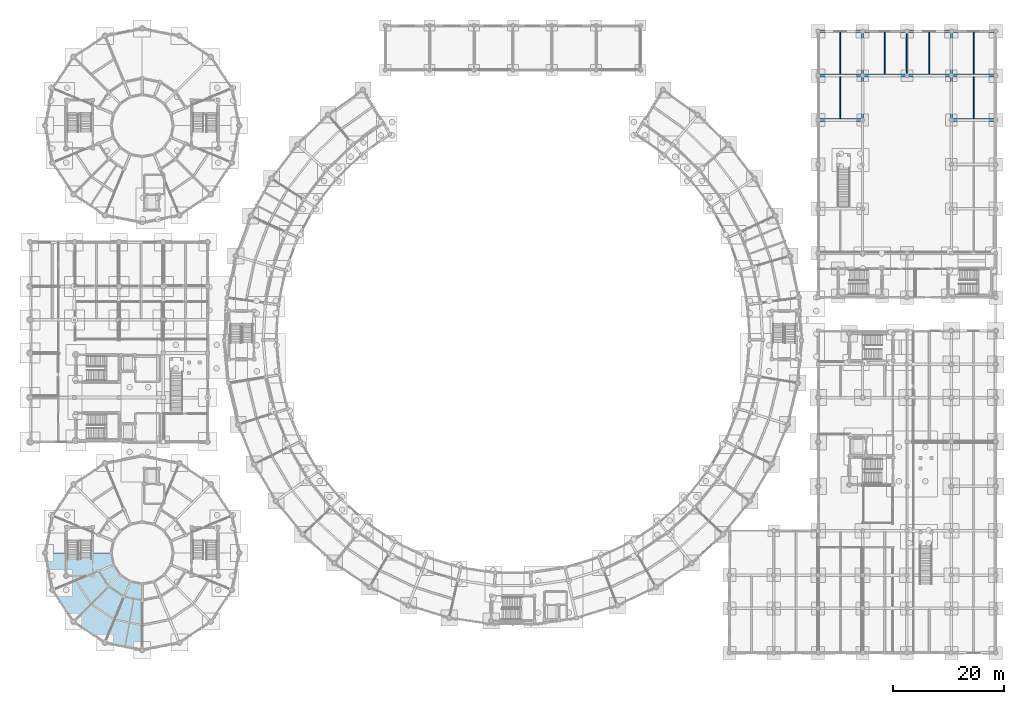
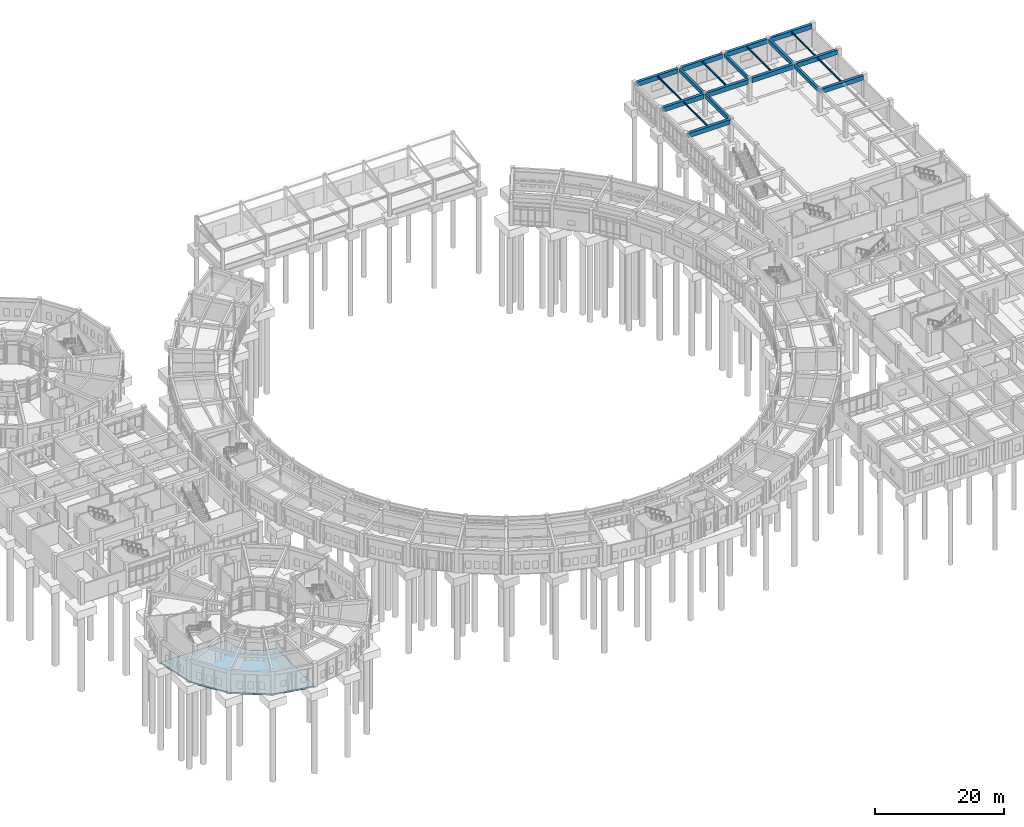
# One storey, part 101 of 153: 21 beams, 1 slab.
"""IFC4 building model written with IfcOpenShell, lengths in metres."""

from ifc_helpers import new_model, si_unit, direction, frame, origin, origin_2d, place, context, subcontext, project, spatial, polyline, rectangle, i_section, outline, extrude, material, layer, layer_set, material_profile, profile_set, type_object, element, save


model = new_model("IFC4")

# Units and contexts
model_context = context("Model", 3, precision=1e-05, world=origin(), true_north=direction((0.0, 1.0)))
body_context = subcontext(model_context, "Body", "Model", "MODEL_VIEW")
ifc_project = project(units=[si_unit("LENGTHUNIT", "METRE"), si_unit("AREAUNIT", "SQUARE_METRE"), si_unit("VOLUMEUNIT", "CUBIC_METRE"), si_unit("PLANEANGLEUNIT", "RADIAN"), si_unit("MASSUNIT", "GRAM", prefix="KILO")], contexts=[model_context])

# Site, building, storey
site_placement = place(None, origin())
site = spatial("IfcSite", under=ifc_project, at=site_placement, CompositionType="ELEMENT")
building_placement = place(site_placement, origin())
building = spatial("IfcBuilding", under=site, at=building_placement, Name="Celadon Cloister-Ring School", CompositionType="ELEMENT")
storey_placement = place(building_placement, origin())
storey = spatial("IfcBuildingStorey", under=building, at=storey_placement, Name="L00", CompositionType="ELEMENT", Elevation=0.0)

# Beams
ifc_material_1 = material(Name="Concrete C35/45", Category="concrete")
ifc_material_profile_1 = material_profile(ifc_material_1, rectangle(XDim=0.39990234375, YDim=0.699951171875, at=origin_2d()), Name="RC400X700")
ifc_profile_set_1 = profile_set([ifc_material_profile_1], Name="Concrete C35/45")
beam_type_1 = type_object("IfcBeamType", Name="BT-01", PredefinedType="BEAM", material=ifc_profile_set_1)
beam_1_placement = place(storey_placement, frame((150.0, 98.27490234375, 3.909912109375), z_axis=(0.0, 1.0, 0.0), x_axis=(-1.0, 0.0, 0.0)))
element("IfcBeam", 1, at=beam_1_placement, inside=storey, type_object=beam_type_1, Name="Beam 1140", PredefinedType="BEAM", context=body_context, shape_type="SweptSolid", body=[
    extrude(rectangle(XDim=0.39990234375, YDim=0.699951171875, at=origin_2d()), origin(), (0.0, 0.0, 1.0), 7.4501953125),
])
beam_2_placement = place(storey_placement, frame((150.0, 106.27490234375, 3.909912109375), z_axis=(0.0, 1.0, 0.0), x_axis=(-1.0, 0.0, 0.0)))
element("IfcBeam", 2, at=beam_2_placement, inside=storey, type_object=beam_type_1, Name="Beam 1141", PredefinedType="BEAM", context=body_context, shape_type="SweptSolid", body=[
    extrude(rectangle(XDim=0.39990234375, YDim=0.699951171875, at=origin_2d()), origin(), (0.0, 0.0, 1.0), 7.400146484375),
])
beam_3_placement = place(storey_placement, frame((166.0, 98.27490234375, 3.909912109375), z_axis=(0.0, 1.0, 0.0), x_axis=(-1.0, 0.0, 0.0)))
element("IfcBeam", 3, at=beam_3_placement, inside=storey, type_object=beam_type_1, Name="Beam 1147", PredefinedType="BEAM", context=body_context, shape_type="SweptSolid", body=[
    extrude(rectangle(XDim=0.39990234375, YDim=0.699951171875, at=origin_2d()), origin(), (0.0, 0.0, 1.0), 7.4501953125),
])
beam_4_placement = place(storey_placement, frame((166.0, 106.27490234375, 3.909912109375), z_axis=(0.0, 1.0, 0.0), x_axis=(-1.0, 0.0, 0.0)))
element("IfcBeam", 4, at=beam_4_placement, inside=storey, type_object=beam_type_1, Name="Beam 1148", PredefinedType="BEAM", context=body_context, shape_type="SweptSolid", body=[
    extrude(rectangle(XDim=0.39990234375, YDim=0.699951171875, at=origin_2d()), origin(), (0.0, 0.0, 1.0), 7.400146484375),
])
ifc_material_2 = material(Name="Concrete C35/45", Category="concrete")
ifc_material_profile_2 = material_profile(ifc_material_2, rectangle(XDim=0.35009765625, YDim=0.60009765625, at=origin_2d()), Name="RC350X600")
ifc_profile_set_2 = profile_set([ifc_material_profile_2], Name="Concrete C35/45")
beam_type_2 = type_object("IfcBeamType", Name="BT-02", PredefinedType="BEAM", material=ifc_profile_set_2)
beam_5_placement = place(storey_placement, frame((158.0, 106.27490234375, 3.9599609375), z_axis=(0.0, 1.0, 0.0), x_axis=(-1.0, 0.0, 0.0)))
element("IfcBeam", 5, at=beam_5_placement, inside=storey, type_object=beam_type_2, Name="Beam 1143", PredefinedType="BEAM", context=body_context, shape_type="SweptSolid", body=[
    extrude(rectangle(XDim=0.35009765625, YDim=0.60009765625, at=origin_2d()), origin(), (0.0, 0.0, 1.0), 7.400146484375),
])
ifc_material_3 = material(Name="Concrete C35/45", Category="concrete")
ifc_material_profile_3 = material_profile(ifc_material_3, rectangle(XDim=0.5, YDim=0.85009765625, at=origin_2d()), Name="RC500X850")
ifc_profile_set_3 = profile_set([ifc_material_profile_3], Name="Concrete C35/45")
beam_type_3 = type_object("IfcBeamType", Name="GT-01", PredefinedType="USERDEFINED", material=ifc_profile_set_3)
for number, where, z_axis, x_axis, name in (
    (6, (142.324951171875, 98.0, 3.8349609375), (1.0, 0.0, 0.0), (0.0, 1.0, 0.0), "Beam 1121"),
    (7, (166.27490234375, 98.0, 3.8349609375), (1.0, 0.0, 0.0), (0.0, 1.0, 0.0), "Beam 1122"),
    (8, (142.324951171875, 106.0, 3.8349609375), (1.0, 0.0, 0.0), (0.0, 1.0, 0.0), "Beam 1123"),
):
    element("IfcBeam", number, at=place(storey_placement, frame(where, z_axis=z_axis, x_axis=x_axis)), inside=storey, type_object=beam_type_3, Name=name, ObjectType="GIRDER", PredefinedType="USERDEFINED", context=body_context, shape_type="SweptSolid", body=[
        extrude(rectangle(XDim=0.5, YDim=0.85009765625, at=origin_2d()), origin(), (0.0, 0.0, 1.0), 7.400146484375),
    ])
for number, where, z_axis, x_axis, name in (
    (9, (150.27490234375, 106.0, 3.8349609375), (1.0, 0.0, 0.0), (0.0, 1.0, 0.0), "Beam 1124"),
    (10, (158.27490234375, 106.0, 3.8349609375), (1.0, 0.0, 0.0), (0.0, 1.0, 0.0), "Beam 1125"),
):
    element("IfcBeam", number, at=place(storey_placement, frame(where, z_axis=z_axis, x_axis=x_axis)), inside=storey, type_object=beam_type_3, Name=name, ObjectType="GIRDER", PredefinedType="USERDEFINED", context=body_context, shape_type="SweptSolid", body=[
        extrude(rectangle(XDim=0.5, YDim=0.85009765625, at=origin_2d()), origin(), (0.0, 0.0, 1.0), 7.4501953125),
    ])
beam_6_placement = place(storey_placement, frame((166.27490234375, 106.0, 3.8349609375), z_axis=(1.0, 0.0, 0.0), x_axis=(0.0, 1.0, 0.0)))
element("IfcBeam", 11, at=beam_6_placement, inside=storey, type_object=beam_type_3, Name="Beam 1126", ObjectType="GIRDER", PredefinedType="USERDEFINED", context=body_context, shape_type="SweptSolid", body=[
    extrude(rectangle(XDim=0.5, YDim=0.85009765625, at=origin_2d()), origin(), (0.0, 0.0, 1.0), 7.400146484375),
])
for number, where, z_axis, x_axis, name in (
    (12, (142.324951171875, 114.0, 3.8349609375), (1.0, 0.0, 0.0), (0.0, 1.0, 0.0), "Beam 1127"),
    (13, (150.324951171875, 114.0, 3.8349609375), (1.0, 0.0, 0.0), (0.0, 1.0, 0.0), "Beam 1128"),
    (14, (158.324951171875, 114.0, 3.8349609375), (1.0, 0.0, 0.0), (0.0, 1.0, 0.0), "Beam 1129"),
    (15, (166.324951171875, 114.0, 3.8349609375), (1.0, 0.0, 0.0), (0.0, 1.0, 0.0), "Beam 1130"),
):
    element("IfcBeam", number, at=place(storey_placement, frame(where, z_axis=z_axis, x_axis=x_axis)), inside=storey, type_object=beam_type_3, Name=name, ObjectType="GIRDER", PredefinedType="USERDEFINED", context=body_context, shape_type="SweptSolid", body=[
        extrude(rectangle(XDim=0.5, YDim=0.85009765625, at=origin_2d()), origin(), (0.0, 0.0, 1.0), 7.35009765625),
    ])
ifc_material_4 = material(Name="Structural steel S355JR", Category="steel")
ifc_material_profile_4 = material_profile(ifc_material_4, i_section(OverallWidth=0.1650390625, OverallDepth=0.31005859375, WebThickness=0.005859375, FlangeThickness=0.009765625, at=origin_2d()), Name="W310X39")
ifc_profile_set_4 = profile_set([ifc_material_profile_4], Name="Structural steel S355JR")
beam_type_4 = type_object("IfcBeamType", Name="JT-03", PredefinedType="JOIST", material=ifc_profile_set_4)
for number, where, z_axis, x_axis, name in (
    (16, (146.0, 98.22509765625, 4.10498046875), (0.0, 1.0, 0.0), (-1.0, 0.0, 0.0), "Beam 1151"),
    (17, (146.0, 106.22509765625, 4.10498046875), (0.0, 1.0, 0.0), (-1.0, 0.0, 0.0), "Beam 1152"),
    (18, (154.0, 106.22509765625, 4.10498046875), (0.0, 1.0, 0.0), (-1.0, 0.0, 0.0), "Beam 1153"),
    (19, (162.0, 106.22509765625, 4.10498046875), (0.0, 1.0, 0.0), (-1.0, 0.0, 0.0), "Beam 1154"),
    (20, (170.0, 98.22509765625, 4.10498046875), (0.0, 1.0, 0.0), (-1.0, 0.0, 0.0), "Beam 1158"),
    (21, (170.0, 106.22509765625, 4.10498046875), (0.0, 1.0, 0.0), (-1.0, 0.0, 0.0), "Beam 1159"),
):
    element("IfcBeam", number, at=place(storey_placement, frame(where, z_axis=z_axis, x_axis=x_axis)), inside=storey, type_object=beam_type_4, Name=name, PredefinedType="JOIST", context=body_context, shape_type="SweptSolid", body=[
        extrude(i_section(OverallWidth=0.1650390625, OverallDepth=0.31005859375, WebThickness=0.005859375, FlangeThickness=0.009765625, at=origin_2d()), origin(), (0.0, 0.0, 1.0), 7.5498046875),
    ])

# Slab
ifc_material_5 = material(Name="Concrete C35/45", Category="concrete")
ifc_layer = layer(ifc_material_5, 0.280029296875)
ifc_layer_set = layer_set([ifc_layer], Name="Concrete C35/45")
slab_type = type_object("IfcSlabType", Name="SL-BS2", PredefinedType="BASESLAB", material=ifc_layer_set)
slab_placement = place(storey_placement, frame((0.0, 0.0, -0.280029296875)))
element("IfcSlab", 22, at=slab_placement, inside=storey, type_object=slab_type, Name="V5a Ring L00 Sector 0047", PredefinedType="BASESLAB", context=body_context, shape_type="SweptSolid", body=[
    extrude(outline(polyline([(2.699951171875, 20.0), (4.031982421875, 13.302978515625), (7.825927734375, 7.6259765625), (13.5029296875, 3.83203125), (20.199951171875, 2.5), (20.199951171875, 14.39990234375), (18.056884765625, 14.825927734375), (16.239990234375, 16.0400390625), (15.02587890625, 17.85693359375), (14.60009765625, 20.0), (2.699951171875, 20.0)])), origin(), (0.0, 0.0, 1.0), 0.280029296875),
])

save(model, "model.ifc")
